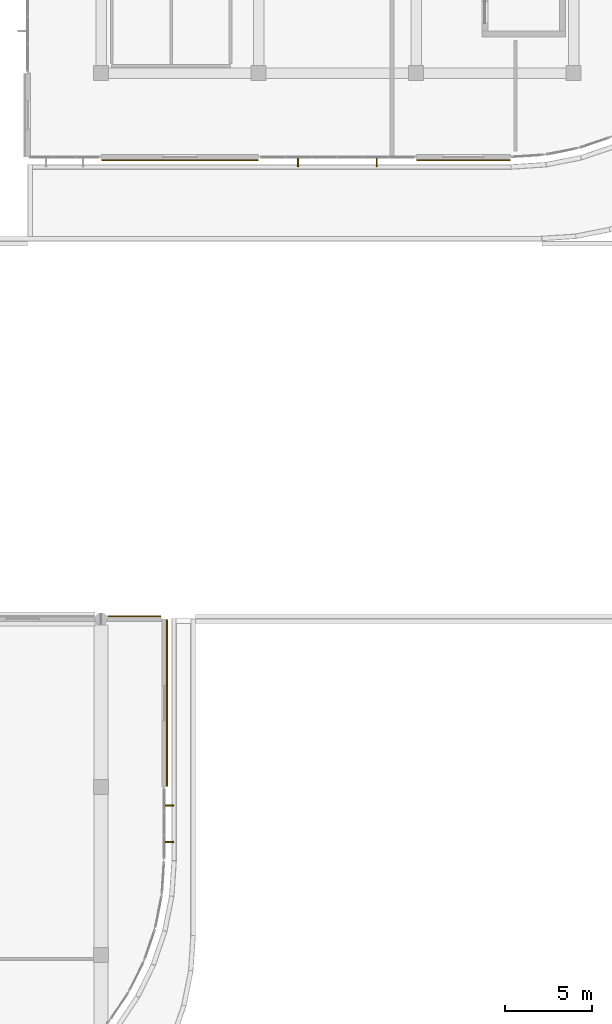
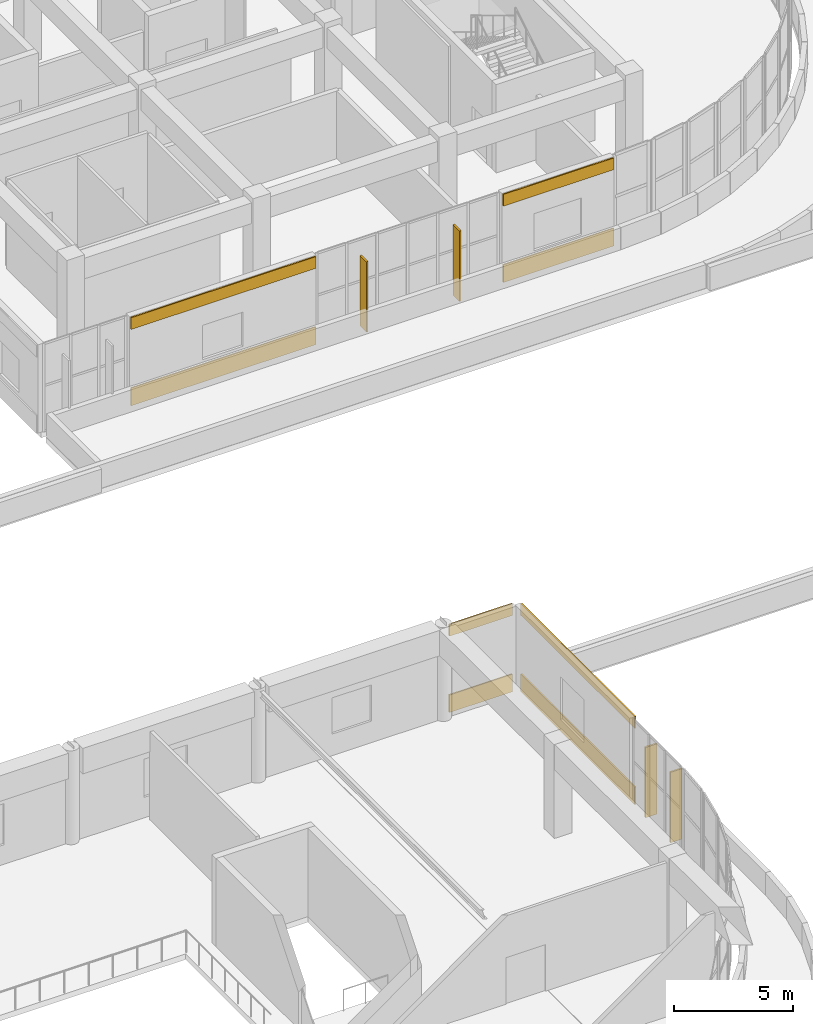
# One storey, part 64 of 67: 8 coverings, 4 shading devices.
"""IFC4 building model written with IfcOpenShell, lengths in metres."""

from ifc_helpers import new_model, si_unit, direction, frame, origin, origin_2d, place, context, subcontext, project, spatial, rectangle, extrude, material, layer, layer_set, type_object, element, save


model = new_model("IFC4")

# Units and contexts
model_context = context("Model", 3, precision=1e-05, world=origin(), true_north=direction((0.0, 1.0)))
body_context = subcontext(model_context, "Body", "Model", "MODEL_VIEW")
ifc_project = project(units=[si_unit("LENGTHUNIT", "METRE"), si_unit("AREAUNIT", "SQUARE_METRE"), si_unit("VOLUMEUNIT", "CUBIC_METRE"), si_unit("PLANEANGLEUNIT", "RADIAN"), si_unit("MASSUNIT", "GRAM", prefix="KILO")], contexts=[model_context])

# Site, building, storey
site_placement = place(None, origin())
site = spatial("IfcSite", under=ifc_project, at=site_placement, CompositionType="ELEMENT")
building_placement = place(site_placement, origin())
building = spatial("IfcBuilding", under=site, at=building_placement, Name="Cendralis Terraced Arcade", CompositionType="ELEMENT")
storey_placement = place(building_placement, frame((0.0, 0.0, 15.0)))
storey = spatial("IfcBuildingStorey", under=building, at=storey_placement, Name="L03", CompositionType="ELEMENT", Elevation=15.0)

# Coverings
ifc_material_1 = material(Name="Precast concrete f'c 40 MPa", Category="concrete")
ifc_layer = layer(ifc_material_1, 0.06494140625, Name="COV-CLAD-GRC-65")
ifc_layer_set = layer_set([ifc_layer], Name="Precast concrete f'c 40 MPa")
covering_type = type_object("IfcCoveringType", Name="COV-CLAD-GRC-65", PredefinedType="CLADDING", material=ifc_layer_set)
covering_1_placement = place(storey_placement, frame((150.89990234375, 64.6201171875, 0.0), z_axis=(0.0, 0.0, 1.0), x_axis=(-1.0, 0.0, 0.0)))
element("IfcCovering", 1, at=covering_1_placement, inside=storey, type_object=covering_type, Name="Banded Precast Stone Spandrel Cladding L03-335", PredefinedType="CLADDING", context=body_context, shape_type="SweptSolid", body=[
    extrude(rectangle(XDim=5.340087890625, YDim=0.06494140625, at=origin_2d()), origin(), (0.0, 0.0, 1.0), 0.89990234375),
])
covering_2_placement = place(storey_placement, frame((150.89990234375, 64.6201171875, 3.89990234375), z_axis=(0.0, 0.0, 1.0), x_axis=(-1.0, 0.0, 0.0)))
element("IfcCovering", 2, at=covering_2_placement, inside=storey, type_object=covering_type, Name="Banded Precast Stone Lintel Cladding L03-336", PredefinedType="CLADDING", context=body_context, shape_type="SweptSolid", body=[
    extrude(rectangle(XDim=5.340087890625, YDim=0.06494140625, at=origin_2d()), origin(), (0.0, 0.0, 1.0), 0.60009765625),
])
covering_3_placement = place(storey_placement, frame((134.699951171875, 64.6201171875, 0.0), z_axis=(0.0, 0.0, 1.0), x_axis=(-1.0, 0.0, 0.0)))
element("IfcCovering", 3, at=covering_3_placement, inside=storey, type_object=covering_type, Name="Banded Precast Stone Spandrel Cladding L03-337", PredefinedType="CLADDING", context=body_context, shape_type="SweptSolid", body=[
    extrude(rectangle(XDim=8.93994140625, YDim=0.06494140625, at=origin_2d()), origin(), (0.0, 0.0, 1.0), 0.89990234375),
])
covering_4_placement = place(storey_placement, frame((134.699951171875, 64.6201171875, 3.89990234375), z_axis=(0.0, 0.0, 1.0), x_axis=(-1.0, 0.0, 0.0)))
element("IfcCovering", 4, at=covering_4_placement, inside=storey, type_object=covering_type, Name="Banded Precast Stone Lintel Cladding L03-338", PredefinedType="CLADDING", context=body_context, shape_type="SweptSolid", body=[
    extrude(rectangle(XDim=8.93994140625, YDim=0.06494140625, at=origin_2d()), origin(), (0.0, 0.0, 1.0), 0.60009765625),
])
covering_5_placement = place(storey_placement, frame((133.96240234375, 33.60009765625, 0.0), z_axis=(0.0, 0.0, 1.0), x_axis=(0.0, -1.0, 0.0)))
element("IfcCovering", 5, at=covering_5_placement, inside=storey, type_object=covering_type, Name="Banded Precast Stone Spandrel Cladding L03-349", PredefinedType="CLADDING", context=body_context, shape_type="SweptSolid", body=[
    extrude(rectangle(XDim=9.5400390625, YDim=0.06494140625, at=origin_2d()), origin(), (0.0, 0.0, 1.0), 0.89990234375),
])
covering_6_placement = place(storey_placement, frame((133.96240234375, 33.60009765625, 3.89990234375), z_axis=(0.0, 0.0, 1.0), x_axis=(0.0, -1.0, 0.0)))
element("IfcCovering", 6, at=covering_6_placement, inside=storey, type_object=covering_type, Name="Banded Precast Stone Lintel Cladding L03-350", PredefinedType="CLADDING", context=body_context, shape_type="SweptSolid", body=[
    extrude(rectangle(XDim=9.5400390625, YDim=0.06494140625, at=origin_2d()), origin(), (0.0, 0.0, 1.0), 0.60009765625),
])
covering_7_placement = place(storey_placement, frame((132.097900390625, 38.5625, 0.0), z_axis=(0.0, 0.0, 1.0), x_axis=(1.0, 0.0, 0.0)))
element("IfcCovering", 7, at=covering_7_placement, inside=storey, type_object=covering_type, Name="Banded Precast Stone Spandrel Cladding L03-381", PredefinedType="CLADDING", context=body_context, shape_type="SweptSolid", body=[
    extrude(rectangle(XDim=3.03955078125, YDim=0.06494140625, at=origin_2d()), origin(), (0.0, 0.0, 1.0), 0.89990234375),
])
covering_8_placement = place(storey_placement, frame((132.097900390625, 38.5625, 3.89990234375), z_axis=(0.0, 0.0, 1.0), x_axis=(1.0, 0.0, 0.0)))
element("IfcCovering", 8, at=covering_8_placement, inside=storey, type_object=covering_type, Name="Banded Precast Stone Lintel Cladding L03-382", PredefinedType="CLADDING", context=body_context, shape_type="SweptSolid", body=[
    extrude(rectangle(XDim=3.03955078125, YDim=0.06494140625, at=origin_2d()), origin(), (0.0, 0.0, 1.0), 0.60009765625),
])

# Shading devices
ifc_material_2 = material(Name="Anodised aluminium EN AW-6063 T6", Category="aluminium")
shading_device_type = type_object("IfcShadingDeviceType", Name="SHD-FIN-550", PredefinedType="USERDEFINED", material=ifc_material_2)
for number, where, z_axis, x_axis, name in (
    (9, (145.949951171875, 64.52001953125, 0.050048828125), (0.0, 0.0, 1.0), (-1.0, 0.0, 0.0), "Parametric Vertical Solar Fin FIN-L03-095"),
    (10, (141.449951171875, 64.52001953125, 0.050048828125), (0.0, 0.0, 1.0), (-1.0, 0.0, 0.0), "Parametric Vertical Solar Fin FIN-L03-096"),
    (11, (134.080078125, 27.75, 0.050048828125), (0.0, 0.0, 1.0), (0.0, -1.0, 0.0), "Parametric Vertical Solar Fin FIN-L03-109"),
    (12, (134.080078125, 25.64990234375, 0.050048828125), (0.0, 0.0, 1.0), (0.0, -1.0, 0.0), "Parametric Vertical Solar Fin FIN-L03-110"),
):
    element("IfcShadingDevice", number, at=place(storey_placement, frame(where, z_axis=z_axis, x_axis=x_axis)), inside=storey, type_object=shading_device_type, Name=name, ObjectType="FIN", PredefinedType="USERDEFINED", context=body_context, shape_type="SweptSolid", body=[
        extrude(rectangle(XDim=0.0849609375, YDim=0.550048828125, at=origin_2d()), origin(), (0.0, 0.0, 1.0), 3.60009765625),
    ])

save(model, "model.ifc")
